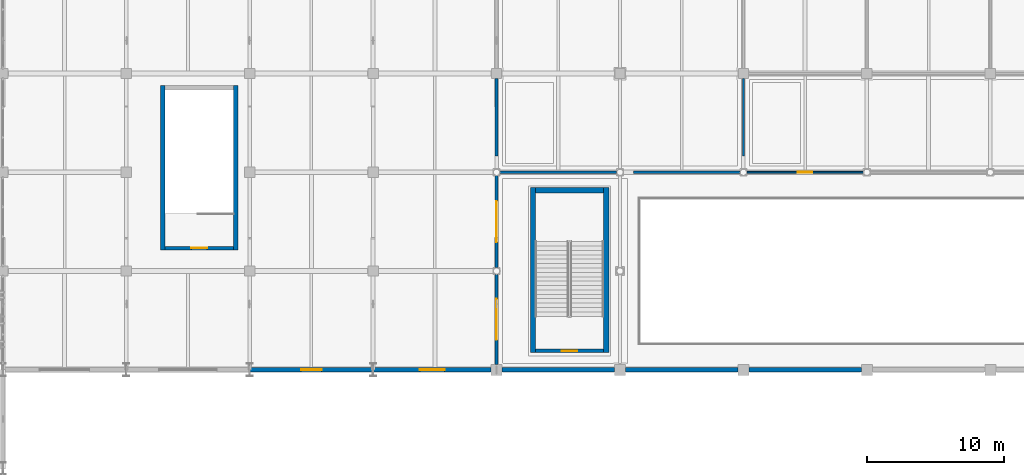
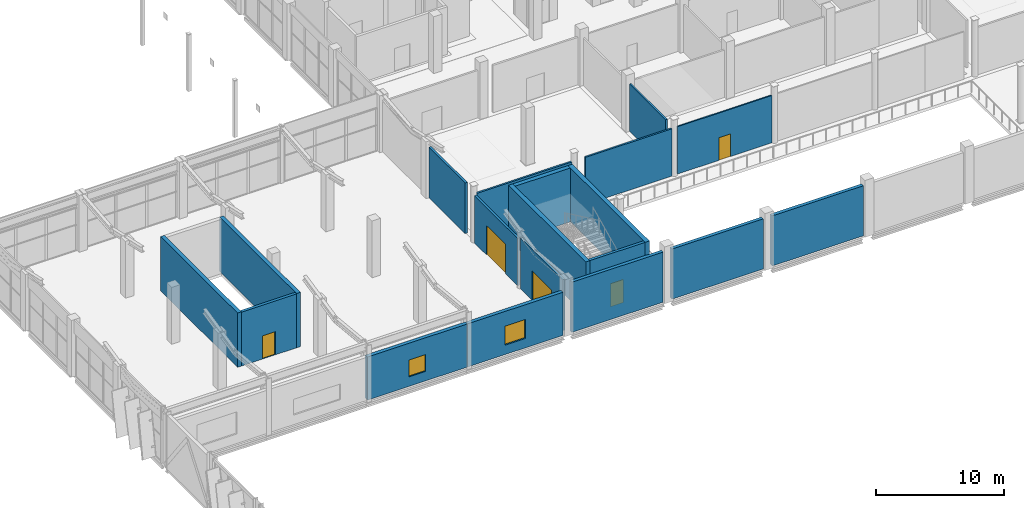
# One storey, part 133 of 189: 19 walls, 5 doors, 2 windows, 7 openings.
"""IFC4 building model written with IfcOpenShell, lengths in metres."""

from ifc_helpers import new_model, si_unit, direction, frame, frame_2d, origin, place, context, subcontext, project, spatial, rectangle, extrude, material, layer, layer_set, type_object, element, fill, save


model = new_model("IFC4")

# Units and contexts
model_context = context("Model", 3, precision=1e-05, world=origin(), true_north=direction((0.0, 1.0)))
body_context = subcontext(model_context, "Body", "Model", "MODEL_VIEW")
ifc_project = project(units=[si_unit("LENGTHUNIT", "METRE"), si_unit("AREAUNIT", "SQUARE_METRE"), si_unit("VOLUMEUNIT", "CUBIC_METRE"), si_unit("PLANEANGLEUNIT", "RADIAN"), si_unit("MASSUNIT", "GRAM", prefix="KILO")], contexts=[model_context])

# Site, building, storey
site_placement = place(None, origin())
site = spatial("IfcSite", under=ifc_project, at=site_placement, CompositionType="ELEMENT")
building_placement = place(site_placement, origin())
building = spatial("IfcBuilding", under=site, at=building_placement, Name="Celestram Park Convention Centre", CompositionType="ELEMENT")
storey_placement = place(building_placement, frame((0.0, 0.0, 5.39990234375)))
storey = spatial("IfcBuildingStorey", under=building, at=storey_placement, Name="L01", CompositionType="ELEMENT", Elevation=5.39990234375)

# Wall, opening, door
ifc_material_1 = material(Name="Double-Stud Acoustic Gypsum Assembly", Category="gypsum")
ifc_layer_1 = layer(ifc_material_1, 0.199951171875)
ifc_layer_set_1 = layer_set([ifc_layer_1], Name="Double-Stud Acoustic Gypsum Assembly")
wall_type_1 = type_object("IfcWallType", Name="ARC-WL-ACO200", PredefinedType="PARTITIONING", material=ifc_layer_set_1)
wall_1_placement = place(storey_placement, frame((36.0, 108.39794921875, 0.0), z_axis=(0.0, 0.0, 1.0), x_axis=(0.0, 1.0, 0.0)))
wall_1 = element("IfcWall", 1, at=wall_1_placement, inside=storey, type_object=wall_type_1, Name="Interior partition WL-L01-IN0742", PredefinedType="PARTITIONING", context=body_context, shape_type="SweptSolid", body=[
    extrude(rectangle(XDim=6.552001953125, YDim=0.199951171875, at=frame_2d((3.27587890625, 0.0))), origin(), (0.0, 0.0, 1.0), 4.820068359375),
])
opening_1_placement = place(wall_1_placement, frame((1.77587890625, 0.0, 0.0)))
opening_1 = element("IfcOpeningElement", 2, at=opening_1_placement, cuts=wall_1, Name="Opening D-03", PredefinedType="OPENING", context=body_context, shape_type="SweptSolid", body=[
    extrude(rectangle(XDim=3.0, YDim=2.800048828125, at=frame_2d((1.5, 1.39990234375))), frame((0.0, 0.10986328125, 0.0), z_axis=(0.0, -1.0, 0.0), x_axis=(1.0, 0.0, 0.0)), (0.0, 0.0, 1.0), 0.219970703125),
])
ifc_material_2 = material(Name="High-Bay Exposition Hall Double Portal", Category="steel")
door_type_1 = type_object("IfcDoorType", Name="ARC-DR-EXH300", OperationType="NOTDEFINED", PredefinedType="DOOR", material=ifc_material_2)
door_1_placement = place(opening_1_placement, origin())
door_1 = element("IfcDoor", 3, at=door_1_placement, inside=storey, type_object=door_type_1, Name="West Forecourt Mezzanine Gallery entrance door", OperationType="DOUBLE_DOOR_SINGLE_SWING", OverallHeight=2.800048828125, OverallWidth=3.0, PredefinedType="DOOR", context=body_context, shape_type="SweptSolid", body=[
    extrude(rectangle(XDim=3.0, YDim=2.800048828125, at=frame_2d((1.5, 1.39990234375))), frame((0.0, 0.02490234375, 0.0), z_axis=(0.0, -1.0, 0.0), x_axis=(1.0, 0.0, 0.0)), (0.0, 0.0, 1.0), 0.050048828125),
])
fill(opening_1, door_1)

wall_2_placement = place(storey_placement, frame((36.0, 115.449951171875, 0.0), z_axis=(0.0, 0.0, 1.0), x_axis=(0.0, 1.0, 0.0)))
wall_2 = element("IfcWall", 4, at=wall_2_placement, inside=storey, type_object=wall_type_1, Name="Interior partition WL-L01-IN0743", PredefinedType="PARTITIONING", context=body_context, shape_type="SweptSolid", body=[
    extrude(rectangle(XDim=6.699951171875, YDim=0.199951171875, at=frame_2d((3.35009765625, 0.0))), origin(), (0.0, 0.0, 1.0), 4.498046875),
])
opening_2_placement = place(wall_2_placement, frame((1.85009765625, 0.0, 0.0)))
opening_2 = element("IfcOpeningElement", 5, at=opening_2_placement, cuts=wall_2, Name="Opening D-03", PredefinedType="OPENING", context=body_context, shape_type="SweptSolid", body=[
    extrude(rectangle(XDim=3.0, YDim=2.800048828125, at=frame_2d((1.5, 1.39990234375))), frame((0.0, 0.10986328125, 0.0), z_axis=(0.0, -1.0, 0.0), x_axis=(1.0, 0.0, 0.0)), (0.0, 0.0, 1.0), 0.219970703125),
])
door_2_placement = place(opening_2_placement, origin())
door_2 = element("IfcDoor", 6, at=door_2_placement, inside=storey, type_object=door_type_1, Name="West Forecourt Mezzanine Gallery entrance door", OperationType="DOUBLE_DOOR_SINGLE_SWING", OverallHeight=2.800048828125, OverallWidth=3.0, PredefinedType="DOOR", context=body_context, shape_type="SweptSolid", body=[
    extrude(rectangle(XDim=3.0, YDim=2.800048828125, at=frame_2d((1.5, 1.39990234375))), frame((0.0, 0.02490234375, 0.0), z_axis=(0.0, -1.0, 0.0), x_axis=(1.0, 0.0, 0.0)), (0.0, 0.0, 1.0), 0.050048828125),
])
fill(opening_2, door_2)

# Wall
wall_3_placement = place(storey_placement, frame((36.0, 123.60009765625, 0.0), z_axis=(0.0, 0.0, 1.0), x_axis=(0.0, 1.0, 0.0)))
element("IfcWall", 7, at=wall_3_placement, inside=storey, type_object=wall_type_1, Name="Interior partition WL-L01-IN0744", PredefinedType="PARTITIONING", context=body_context, shape_type="SweptSolid", body=[
    extrude(rectangle(XDim=5.626953125, YDim=0.199951171875, at=frame_2d((2.8134765625, 0.0))), origin(), (0.0, 0.0, 1.0), 4.820068359375),
])

# Wall, opening, door
ifc_material_3 = material(Name="Concrete Block Masonry C25/30", Category="masonry")
ifc_layer_2 = layer(ifc_material_3, 0.25)
ifc_layer_set_2 = layer_set([ifc_layer_2], Name="Concrete Block Masonry C25/30")
wall_type_2 = type_object("IfcWallType", Name="ARC-WL-COR250", PredefinedType="STANDARD", material=ifc_layer_set_2)
wall_4_placement = place(storey_placement, frame((38.840087890625, 109.375, 0.0), z_axis=(0.0, 0.0, 1.0), x_axis=(1.0, 0.0, 0.0)))
wall_4 = element("IfcWall", 8, at=wall_4_placement, inside=storey, type_object=wall_type_2, Name="Core S13 stair entrance wall", PredefinedType="STANDARD", context=body_context, shape_type="SweptSolid", body=[
    extrude(rectangle(XDim=4.9599609375, YDim=0.25, at=frame_2d((2.47998046875, 0.0))), origin(), (0.0, 0.0, 1.0), 5.1201171875),
])
opening_3_placement = place(wall_4_placement, frame((1.905029296875, 0.0, 0.0)))
opening_3 = element("IfcOpeningElement", 9, at=opening_3_placement, cuts=wall_4, Name="Opening D-ST1", PredefinedType="OPENING", context=body_context, shape_type="SweptSolid", body=[
    extrude(rectangle(XDim=1.14990234375, YDim=2.199951171875, at=frame_2d((0.574951171875, 1.10009765625))), frame((0.0, 0.135009765625, 0.0), z_axis=(0.0, -1.0, 0.0), x_axis=(1.0, 0.0, 0.0)), (0.0, 0.0, 1.0), 0.27001953125),
])
ifc_material_4 = material(Name="Fire-Rated Hollow Metal Steel ASTM A653", Category="steel")
door_type_2 = type_object("IfcDoorType", Name="ARC-DR-ST115", OperationType="NOTDEFINED", PredefinedType="DOOR", material=ifc_material_4)
door_3_placement = place(opening_3_placement, origin())
door_3 = element("IfcDoor", 10, at=door_3_placement, inside=storey, type_object=door_type_2, Name="Exit stair ST-13 fire door", OperationType="SINGLE_SWING_LEFT", OverallHeight=2.199951171875, OverallWidth=1.14990234375, PredefinedType="DOOR", context=body_context, shape_type="SweptSolid", body=[
    extrude(rectangle(XDim=1.14990234375, YDim=2.199951171875, at=frame_2d((0.574951171875, 1.10009765625))), frame((0.0, 0.02490234375, 0.0), z_axis=(0.0, -1.0, 0.0), x_axis=(1.0, 0.0, 0.0)), (0.0, 0.0, 1.0), 0.050048828125),
])
fill(opening_3, door_3)

wall_5_placement = place(storey_placement, frame((11.840087890625, 116.875, 0.0), z_axis=(0.0, 0.0, 1.0), x_axis=(1.0, 0.0, 0.0)))
wall_5 = element("IfcWall", 11, at=wall_5_placement, inside=storey, type_object=wall_type_2, Name="Core S15 stair entrance wall", PredefinedType="STANDARD", context=body_context, shape_type="SweptSolid", body=[
    extrude(rectangle(XDim=4.9599609375, YDim=0.25, at=frame_2d((2.47998046875, 0.0))), origin(), (0.0, 0.0, 1.0), 5.1201171875),
])
opening_4_placement = place(wall_5_placement, frame((1.905029296875, 0.0, 0.0)))
opening_4 = element("IfcOpeningElement", 12, at=opening_4_placement, cuts=wall_5, Name="Opening D-ST1", PredefinedType="OPENING", context=body_context, shape_type="SweptSolid", body=[
    extrude(rectangle(XDim=1.14990234375, YDim=2.199951171875, at=frame_2d((0.574951171875, 1.10009765625))), frame((0.0, 0.135009765625, 0.0), z_axis=(0.0, -1.0, 0.0), x_axis=(1.0, 0.0, 0.0)), (0.0, 0.0, 1.0), 0.27001953125),
])
door_4_placement = place(opening_4_placement, origin())
door_4 = element("IfcDoor", 13, at=door_4_placement, inside=storey, type_object=door_type_2, Name="Exit stair ST-15 fire door", OperationType="SINGLE_SWING_RIGHT", OverallHeight=2.199951171875, OverallWidth=1.14990234375, PredefinedType="DOOR", context=body_context, shape_type="SweptSolid", body=[
    extrude(rectangle(XDim=1.14990234375, YDim=2.199951171875, at=frame_2d((0.574951171875, 1.10009765625))), frame((0.0, 0.02490234375, 0.0), z_axis=(0.0, -1.0, 0.0), x_axis=(1.0, 0.0, 0.0)), (0.0, 0.0, 1.0), 0.050048828125),
])
fill(opening_4, door_4)

# Walls
ifc_material_5 = material(Name="Precast Concrete C40/50", Category="concrete")
ifc_layer_3 = layer(ifc_material_5, 0.300048828125)
ifc_layer_set_3 = layer_set([ifc_layer_3], Name="Precast Concrete C40/50")
wall_type_3 = type_object("IfcWallType", Name="ARC-WL-EXT300", PredefinedType="STANDARD", material=ifc_layer_set_3)
for number, where, z_axis, x_axis, name in (
    (14, (62.60205078125, 108.0, 0.0), (0.0, 0.0, 1.0), (-1.0, 0.0, 0.0), "Acoustic hall overlook wall WL-L01-EW101"),
    (15, (53.60205078125, 108.0, 0.0), (0.0, 0.0, 1.0), (-1.0, 0.0, 0.0), "Acoustic hall overlook wall WL-L01-EW102"),
    (16, (44.60205078125, 108.0, 0.0), (0.0, 0.0, 1.0), (-1.0, 0.0, 0.0), "Acoustic hall overlook wall WL-L01-EW103"),
):
    element("IfcWall", number, at=place(storey_placement, frame(where, z_axis=z_axis, x_axis=x_axis)), inside=storey, type_object=wall_type_3, Name=name, PredefinedType="STANDARD", context=body_context, shape_type="SweptSolid", body=[
        extrude(rectangle(XDim=8.2041015625, YDim=0.300048828125, at=frame_2d((4.10205078125, 0.0))), origin(), (0.0, 0.0, 1.0), 4.76416015625),
    ])

# Wall, opening, window
ifc_layer_4 = layer(ifc_material_5, 0.320068359375)
ifc_layer_set_4 = layer_set([ifc_layer_4], Name="Precast Concrete C40/50")
wall_type_4 = type_object("IfcWallType", Name="ARC-WL-EXT320", PredefinedType="STANDARD", material=ifc_layer_set_4)
wall_6_placement = place(storey_placement, frame((35.60205078125, 108.0, 0.0), z_axis=(0.0, 0.0, 1.0), x_axis=(-1.0, 0.0, 0.0)))
wall_6 = element("IfcWall", 17, at=wall_6_placement, inside=storey, type_object=wall_type_4, Name="Bush-hammered precast exterior wall WL-L01-EW104", PredefinedType="STANDARD", context=body_context, shape_type="SweptSolid", body=[
    extrude(rectangle(XDim=8.592041015625, YDim=0.320068359375, at=frame_2d((4.2958984375, 0.0))), origin(), (0.0, 0.0, 1.0), 4.10009765625),
])
opening_5_placement = place(wall_6_placement, frame((3.39599609375, 0.0, 0.89990234375)))
opening_5 = element("IfcOpeningElement", 18, at=opening_5_placement, cuts=wall_6, Name="Opening W-06", PredefinedType="OPENING", context=body_context, shape_type="SweptSolid", body=[
    extrude(rectangle(XDim=1.800048828125, YDim=1.800048828125, at=frame_2d((0.89990234375, 0.89990234375))), frame((0.0, 0.169921875, 0.0), z_axis=(0.0, -1.0, 0.0), x_axis=(1.0, 0.0, 0.0)), (0.0, 0.0, 1.0), 0.340087890625),
])
ifc_material_6 = material(Name="Thermally Broken Aluminium & Triple Glazing", Category="aluminium")
window_type_1 = type_object("IfcWindowType", Name="ARC-WN-180X180", PartitioningType="SINGLE_PANEL", PredefinedType="WINDOW", material=ifc_material_6)
window_1_placement = place(opening_5_placement, origin())
window_1 = element("IfcWindow", 19, at=window_1_placement, inside=storey, type_object=window_type_1, Name="Punched exterior window WN-L01-022", OverallHeight=1.800048828125, OverallWidth=1.800048828125, PartitioningType="SINGLE_PANEL", PredefinedType="WINDOW", context=body_context, shape_type="SweptSolid", body=[
    extrude(rectangle(XDim=1.800048828125, YDim=1.800048828125, at=frame_2d((0.89990234375, 0.89990234375))), frame((0.0, 0.030029296875, 0.0), z_axis=(0.0, -1.0, 0.0), x_axis=(1.0, 0.0, 0.0)), (0.0, 0.0, 1.0), 0.06005859375),
])
fill(opening_5, window_1)

wall_7_placement = place(storey_placement, frame((26.989990234375, 108.0, 0.0), z_axis=(0.0, 0.0, 1.0), x_axis=(-1.0, 0.0, 0.0)))
wall_7 = element("IfcWall", 20, at=wall_7_placement, inside=storey, type_object=wall_type_4, Name="Bush-hammered precast exterior wall WL-L01-EW105", PredefinedType="STANDARD", context=body_context, shape_type="SweptSolid", body=[
    extrude(rectangle(XDim=8.97998046875, YDim=0.320068359375, at=frame_2d((4.489990234375, 0.0))), origin(), (0.0, 0.0, 1.0), 4.10009765625),
])
opening_6_placement = place(wall_7_placement, frame((3.739990234375, 0.0, 0.89990234375)))
opening_6 = element("IfcOpeningElement", 21, at=opening_6_placement, cuts=wall_7, Name="Opening W-07", PredefinedType="OPENING", context=body_context, shape_type="SweptSolid", body=[
    extrude(rectangle(XDim=1.5, YDim=1.60009765625, at=frame_2d((0.75, 0.800048828125))), frame((0.0, 0.169921875, 0.0), z_axis=(0.0, -1.0, 0.0), x_axis=(1.0, 0.0, 0.0)), (0.0, 0.0, 1.0), 0.340087890625),
])
window_type_2 = type_object("IfcWindowType", Name="ARC-WN-150X160", PartitioningType="SINGLE_PANEL", PredefinedType="WINDOW", material=ifc_material_6)
window_2_placement = place(opening_6_placement, origin())
window_2 = element("IfcWindow", 22, at=window_2_placement, inside=storey, type_object=window_type_2, Name="Punched exterior window WN-L01-023", OverallHeight=1.60009765625, OverallWidth=1.5, PartitioningType="SINGLE_PANEL", PredefinedType="WINDOW", context=body_context, shape_type="SweptSolid", body=[
    extrude(rectangle(XDim=1.5, YDim=1.60009765625, at=frame_2d((0.75, 0.800048828125))), frame((0.0, 0.030029296875, 0.0), z_axis=(0.0, -1.0, 0.0), x_axis=(1.0, 0.0, 0.0)), (0.0, 0.0, 1.0), 0.06005859375),
])
fill(opening_6, window_2)

# Wall, opening, door
ifc_material_7 = material(Name="Standard Gypsum & Steel Stud 120 mm", Category="steel")
ifc_layer_5 = layer(ifc_material_7, 0.1201171875)
ifc_layer_set_5 = layer_set([ifc_layer_5], Name="Standard Gypsum & Steel Stud 120 mm")
wall_type_5 = type_object("IfcWallType", Name="ARC-WL-PRT120", PredefinedType="PARTITIONING", material=ifc_layer_set_5)
wall_8_placement = place(storey_placement, frame((54.25, 122.39990234375, 0.0), z_axis=(0.0, 0.0, 1.0), x_axis=(1.0, 0.0, 0.0)))
wall_8 = element("IfcWall", 23, at=wall_8_placement, inside=storey, type_object=wall_type_5, Name="Interior partition WL-L01-IN0696", PredefinedType="PARTITIONING", context=body_context, shape_type="SweptSolid", body=[
    extrude(rectangle(XDim=8.5, YDim=0.1201171875, at=frame_2d((4.25, 0.0))), origin(), (0.0, 0.0, 1.0), 4.498046875),
])
opening_7_placement = place(wall_8_placement, frame((3.72509765625, 0.0, 0.0)))
opening_7 = element("IfcOpeningElement", 24, at=opening_7_placement, cuts=wall_8, Name="Opening D-06", PredefinedType="OPENING", context=body_context, shape_type="SweptSolid", body=[
    extrude(rectangle(XDim=1.050048828125, YDim=2.14990234375, at=frame_2d((0.52490234375, 1.074951171875))), frame((0.0, 0.070068359375, 0.0), z_axis=(0.0, -1.0, 0.0), x_axis=(1.0, 0.0, 0.0)), (0.0, 0.0, 1.0), 0.14013671875),
])
ifc_material_8 = material(Name="Solid Core White Oak Single Door", Category="wood")
door_type_3 = type_object("IfcDoorType", Name="ARC-DR-RM105", OperationType="NOTDEFINED", PredefinedType="DOOR", material=ifc_material_8)
door_5_placement = place(opening_7_placement, origin())
door_5 = element("IfcDoor", 25, at=door_5_placement, inside=storey, type_object=door_type_3, Name="Concourse Delegate Lounge L01 entrance door", OperationType="SINGLE_SWING_LEFT", OverallHeight=2.14990234375, OverallWidth=1.050048828125, PredefinedType="DOOR", context=body_context, shape_type="SweptSolid", body=[
    extrude(rectangle(XDim=1.050048828125, YDim=2.14990234375, at=frame_2d((0.52490234375, 1.074951171875))), frame((0.0, 0.02490234375, 0.0), z_axis=(0.0, -1.0, 0.0), x_axis=(1.0, 0.0, 0.0)), (0.0, 0.0, 1.0), 0.050048828125),
])
fill(opening_7, door_5)

# Walls
ifc_material_9 = material(Name="Acoustic Gypsum & Steel Stud 160 mm", Category="steel")
ifc_layer_6 = layer(ifc_material_9, 0.159912109375)
ifc_layer_set_6 = layer_set([ifc_layer_6], Name="Acoustic Gypsum & Steel Stud 160 mm")
wall_type_6 = type_object("IfcWallType", Name="ARC-WL-PRT160", PredefinedType="PARTITIONING", material=ifc_layer_set_6)
wall_9_placement = place(storey_placement, frame((36.25, 122.39990234375, 0.0), z_axis=(0.0, 0.0, 1.0), x_axis=(1.0, 0.0, 0.0)))
element("IfcWall", 26, at=wall_9_placement, inside=storey, type_object=wall_type_6, Name="Interior partition WL-L01-IN0694", PredefinedType="PARTITIONING", context=body_context, shape_type="SweptSolid", body=[
    extrude(rectangle(XDim=8.5, YDim=0.159912109375, at=frame_2d((4.25, 0.0))), origin(), (0.0, 0.0, 1.0), 4.498046875),
])
wall_10_placement = place(storey_placement, frame((46.0, 122.39990234375, 0.0), z_axis=(0.0, 0.0, 1.0), x_axis=(1.0, 0.0, 0.0)))
element("IfcWall", 27, at=wall_10_placement, inside=storey, type_object=wall_type_6, Name="Interior partition WL-L01-IN0695", PredefinedType="PARTITIONING", context=body_context, shape_type="SweptSolid", body=[
    extrude(rectangle(XDim=7.75, YDim=0.159912109375, at=frame_2d((3.875, 0.0))), origin(), (0.0, 0.0, 1.0), 4.498046875),
])
wall_11_placement = place(storey_placement, frame((54.0, 123.60009765625, 0.0), z_axis=(0.0, 0.0, 1.0), x_axis=(0.0, 1.0, 0.0)))
element("IfcWall", 28, at=wall_11_placement, inside=storey, type_object=wall_type_6, Name="Interior partition WL-L01-IN0746", PredefinedType="PARTITIONING", context=body_context, shape_type="SweptSolid", body=[
    extrude(rectangle(XDim=5.626953125, YDim=0.159912109375, at=frame_2d((2.8134765625, 0.0))), origin(), (0.0, 0.0, 1.0), 4.508056640625),
])
ifc_material_10 = material(Name="Concrete C40/50", Category="concrete")
ifc_layer_7 = layer(ifc_material_10, 0.340087890625)
ifc_layer_set_7 = layer_set([ifc_layer_7], Name="Concrete C40/50")
wall_type_7 = type_object("IfcWallType", Name="STR-WL-SHR340", PredefinedType="SHEAR", material=ifc_layer_set_7)
for number, where, z_axis, x_axis, name in (
    (29, (11.669921875, 116.75, 0.0), (0.0, 0.0, 1.0), (0.0, 1.0, 0.0), "Core S15 shear wall L"),
    (30, (16.969970703125, 128.739990234375, 0.0), (0.0, 0.0, 1.0), (0.0, -1.0, 0.0), "Core S15 shear wall R"),
):
    element("IfcWall", number, at=place(storey_placement, frame(where, z_axis=z_axis, x_axis=x_axis)), inside=storey, type_object=wall_type_7, Name=name, PredefinedType="SHEAR", context=body_context, shape_type="SweptSolid", body=[
        extrude(rectangle(XDim=11.989990234375, YDim=0.340087890625, at=frame_2d((5.9951171875, 0.0))), origin(), (0.0, 0.0, 1.0), 5.16015625),
    ])
ifc_layer_8 = layer(ifc_material_10, 0.3798828125)
ifc_layer_set_8 = layer_set([ifc_layer_8], Name="Concrete C40/50")
wall_type_8 = type_object("IfcWallType", Name="STR-WL-SHR380", PredefinedType="SHEAR", material=ifc_layer_set_8)
for number, where, z_axis, x_axis, name in (
    (31, (38.64990234375, 109.25, 0.0), (0.0, 0.0, 1.0), (0.0, 1.0, 0.0), "Core S13 shear wall L"),
    (32, (43.989990234375, 121.280029296875, 0.0), (0.0, 0.0, 1.0), (0.0, -1.0, 0.0), "Core S13 shear wall R"),
):
    element("IfcWall", number, at=place(storey_placement, frame(where, z_axis=z_axis, x_axis=x_axis)), inside=storey, type_object=wall_type_8, Name=name, PredefinedType="SHEAR", context=body_context, shape_type="SweptSolid", body=[
        extrude(rectangle(XDim=12.030029296875, YDim=0.3798828125, at=frame_2d((6.01513671875, 0.0))), origin(), (0.0, 0.0, 1.0), 5.1201171875),
    ])
wall_12_placement = place(storey_placement, frame((38.840087890625, 121.090087890625, 0.0), z_axis=(0.0, 0.0, 1.0), x_axis=(1.0, 0.0, 0.0)))
element("IfcWall", 33, at=wall_12_placement, inside=storey, type_object=wall_type_8, Name="Core S13 shear wall F", PredefinedType="SHEAR", context=body_context, shape_type="SweptSolid", body=[
    extrude(rectangle(XDim=4.9599609375, YDim=0.3798828125, at=frame_2d((2.47998046875, 0.0))), origin(), (0.0, 0.0, 1.0), 5.1201171875),
])

save(model, "model.ifc")
